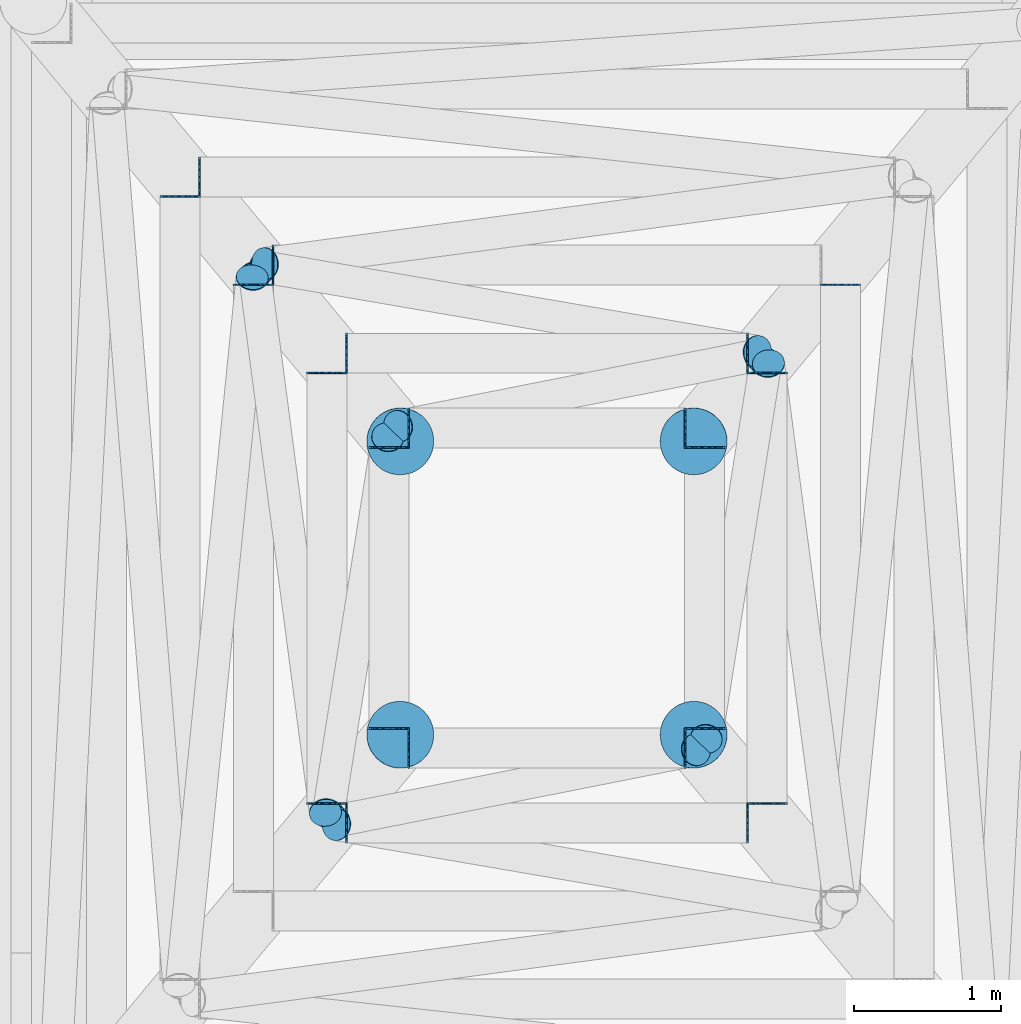
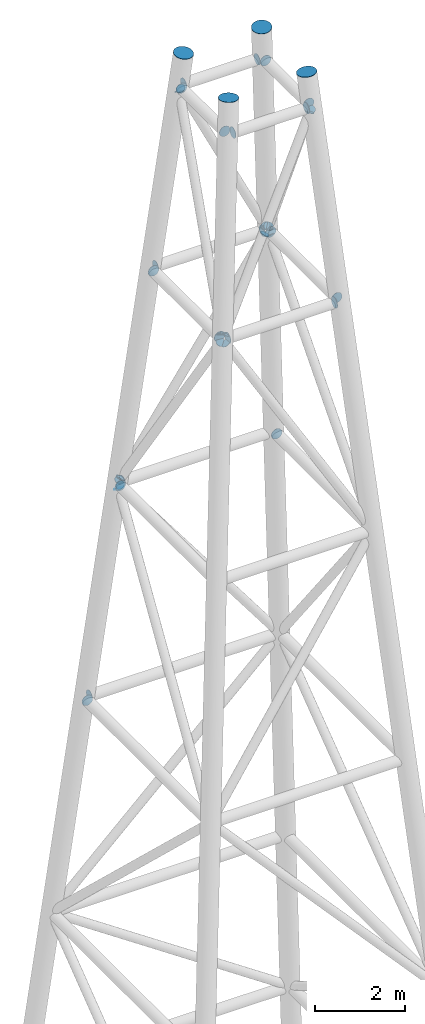
# One storey, part 3 of 4: 41 discrete accessories.
"""IFC4 building model written with IfcOpenShell, lengths in metres."""

import ifcopenshell
import ifcopenshell.guid

model = None  # the IFC model being written
_history = None  # IfcOwnerHistory: only IFC2X3 demands one
_inside = {}  # id of a spatial element -> (the spatial element, [elements in it])
_under = {}  # id of a project, library or spatial element -> (it, [spatial elements below it])
_declared = {}  # id of a project -> (the project, [libraries it declares])
_typed = {}  # id of a type object -> (the type object, [elements of that type])
_made_of = {}  # id of a material, layer set ... -> (it, [elements and type objects made of it])


def new_model(schema):
    """Start an empty IFC model of exactly this schema.

    Asked for "IFC4X3", IfcOpenShell would pick the latest addendum, in which some entities
    have other attributes; the version numbers below select the first issue.
    IFC2X3 requires an IfcOwnerHistory on every rooted entity: one is made here for all.
    """
    global model, _history
    if schema == "IFC4X3":
        model = ifcopenshell.file(schema_version=(4, 3, 0, 0))
    else:
        model = ifcopenshell.file(schema=schema)
    _inside.clear()
    _under.clear()
    _declared.clear()
    _typed.clear()
    _made_of.clear()
    _history = None
    if model.schema == "IFC2X3":
        org = make("IfcOrganization", Name="unknown")
        user = make(
            "IfcPersonAndOrganization",
            ThePerson=make("IfcPerson", FamilyName="unknown"),
            TheOrganization=org,
        )
        app = make(
            "IfcApplication",
            ApplicationDeveloper=org,
            Version="unknown",
            ApplicationFullName="unknown",
            ApplicationIdentifier="unknown",
        )
        _history = make(
            "IfcOwnerHistory",
            OwningUser=user,
            OwningApplication=app,
            ChangeAction="ADDED",
            CreationDate=0,
        )
    return model


def make(cls, **values):
    """One entity of the class cls with the attributes given. An attribute that is None is left unset."""
    return model.create_entity(
        cls, **{name: value for name, value in values.items() if value is not None}
    )


def rooted(cls, **values):
    """An entity with a GlobalId (a new one), such as an element, a storey or a relation."""
    return make(cls, GlobalId=ifcopenshell.guid.new(), OwnerHistory=_history, **values)


def si_unit(unit_type, name, prefix=None):
    """IfcSIUnit, for example si_unit("LENGTHUNIT", "METRE", prefix="MILLI")."""
    return make("IfcSIUnit", UnitType=unit_type, Prefix=prefix, Name=name)


def assignment(units):
    """IfcUnitAssignment: the units of a project."""
    return None if units is None else make("IfcUnitAssignment", Units=units)


def point(xyz):
    """IfcCartesianPoint."""
    return None if xyz is None else make("IfcCartesianPoint", Coordinates=xyz)


def direction(xyz):
    """IfcDirection."""
    return None if xyz is None else make("IfcDirection", DirectionRatios=xyz)


def frame(location, z_axis=None, x_axis=None):
    """IfcAxis2Placement3D, a coordinate frame: its origin and axes. An axis left out is left unset."""
    return make(
        "IfcAxis2Placement3D",
        Location=point(location),
        Axis=direction(z_axis),
        RefDirection=direction(x_axis),
    )


def frame_2d(location, x_axis=None):
    """IfcAxis2Placement2D, a coordinate frame in the plane: its origin and x axis."""
    return make(
        "IfcAxis2Placement2D", Location=point(location), RefDirection=direction(x_axis)
    )


def origin():
    """The frame at (0, 0, 0) with its axes left unset."""
    return frame((0.0, 0.0, 0.0))


def origin_2d():
    """The frame at (0, 0) in the plane with its x axis left unset."""
    return frame_2d((0.0, 0.0))


def place(relative_to, where):
    """IfcLocalPlacement: puts the frame where relative to a parent placement (None: the world)."""
    return make(
        "IfcLocalPlacement", PlacementRelTo=relative_to, RelativePlacement=where
    )


def context(
    kind, dimensions, precision=None, world=None, true_north=None, identifier=None
):
    """IfcGeometricRepresentationContext, for example the 3D "Model" context."""
    return make(
        "IfcGeometricRepresentationContext",
        ContextIdentifier=identifier,
        ContextType=kind,
        CoordinateSpaceDimension=dimensions,
        Precision=precision,
        WorldCoordinateSystem=world,
        TrueNorth=true_north,
    )


def subcontext(parent, identifier, kind, view, scale=None):
    """IfcGeometricRepresentationSubContext, for example "Body" below "Model"."""
    return make(
        "IfcGeometricRepresentationSubContext",
        ContextIdentifier=identifier,
        ContextType=kind,
        ParentContext=parent,
        TargetScale=scale,
        TargetView=view,
    )


def project(units=None, contexts=None):
    """IfcProject with its units and contexts."""
    return rooted(
        "IfcProject",
        Name="project",
        RepresentationContexts=contexts,
        UnitsInContext=assignment(units),
    )


def spatial(cls, under=None, at=None, **own):
    """A site, building, storey or space (cls), placed at a placement, below another one or the project."""
    s = rooted(cls, ObjectPlacement=at, **own)
    if under is not None:
        _under.setdefault(under.id(), (under, []))[1].append(s)
    return s


def profile(cls, at=None, kind="AREA", **sizes):
    """A parametric profile (cls). Its sizes go by their IFC names, for example OverallWidth=200.0."""
    return make(cls, ProfileType=kind, Position=at, **sizes)


def circle(**sizes):
    """IfcCircleProfileDef."""
    return profile("IfcCircleProfileDef", **sizes)


def extrude(swept, where, along, depth):
    """IfcExtrudedAreaSolid: the profile swept, set in the frame where, extruded along a direction by depth."""
    return make(
        "IfcExtrudedAreaSolid",
        SweptArea=swept,
        Position=where,
        ExtrudedDirection=direction(along),
        Depth=depth,
    )


def shape(context_of_items, identifier, shape_type, items):
    """IfcShapeRepresentation: the items that make up one representation, for example the "Body"."""
    return make(
        "IfcShapeRepresentation",
        ContextOfItems=context_of_items,
        RepresentationIdentifier=identifier,
        RepresentationType=shape_type,
        Items=items,
    )


def material(Name=None, Category=None):
    """IfcMaterial."""
    return make("IfcMaterial", Name=Name, Category=Category)


def material_profile(
    of_material, cross_section, Name=None, Category=None, Priority=None
):
    """IfcMaterialProfile: a cross section and its material."""
    return make(
        "IfcMaterialProfile",
        Name=Name,
        Material=of_material,
        Profile=cross_section,
        Priority=Priority,
        Category=Category,
    )


def profile_set(profiles, Name=None, composite=None):
    """IfcMaterialProfileSet."""
    return make(
        "IfcMaterialProfileSet",
        Name=Name,
        MaterialProfiles=profiles,
        CompositeProfile=composite,
    )


def made_of(thing, what):
    """Note that an element or type object is made of a material, layer set ...; save() writes the relation."""
    if what is not None:
        _made_of.setdefault(what.id(), (what, []))[1].append(thing)
    return thing


def type_object(cls, material=None, **own):
    """A type object (cls), such as IfcWallType, which elements share."""
    return made_of(rooted(cls, **own), material)


def element(
    cls,
    number,
    at=None,
    inside=None,
    cuts=None,
    type_object=None,
    material=None,
    context=None,
    identifier="Body",
    shape_type=None,
    held_by="IfcProductDefinitionShape",
    body=None,
    shapes=None,
    **own,
):
    """One element of the class cls, such as IfcWall. Its Tag is "e" and its number.

    at: its placement. inside: the storey or other place that contains it. cuts: it is an
    opening in that element (IfcRelVoidsElement). A single representation is given by context,
    identifier, shape_type and body (its items); several are given by shapes. held_by: the class
    of the entity that holds the representations. save() writes the other relations.
    """
    e = rooted(cls, Tag="e%d" % number, ObjectPlacement=at, **own)
    if body is not None:
        shapes = [shape(context, identifier, shape_type, body)]
    if shapes is not None:
        e.Representation = make(held_by, Representations=shapes)
    if inside is not None:
        _inside.setdefault(inside.id(), (inside, []))[1].append(e)
    if cuts is not None:
        rooted(
            "IfcRelVoidsElement", RelatingBuildingElement=cuts, RelatedOpeningElement=e
        )
    if type_object is not None:
        _typed.setdefault(type_object.id(), (type_object, []))[1].append(e)
    return made_of(e, material)


def aggregate(whole, parts):
    """IfcRelAggregates: a whole, such as a stair, and the parts it consists of."""
    return rooted("IfcRelAggregates", RelatingObject=whole, RelatedObjects=parts)


def save(model, path):
    """Write the relations noted so far, then the file.

    IfcRelAggregates (storeys below a building ...), IfcRelContainedInSpatialStructure (elements
    in a storey), IfcRelDefinesByType, IfcRelAssociatesMaterial and IfcRelDeclares: one each for
    every whole, place, type object, material and project.
    """
    for whole, parts in _under.values():
        aggregate(whole, parts)
    for where, things in _inside.values():
        rooted(
            "IfcRelContainedInSpatialStructure",
            RelatedElements=things,
            RelatingStructure=where,
        )
    for kind, things in _typed.values():
        rooted("IfcRelDefinesByType", RelatedObjects=things, RelatingType=kind)
    for what, things in _made_of.values():
        rooted("IfcRelAssociatesMaterial", RelatedObjects=things, RelatingMaterial=what)
    for by, libraries in _declared.values():
        rooted("IfcRelDeclares", RelatingContext=by, RelatedDefinitions=libraries)
    model.write(path)


model = new_model("IFC4")

# Units and contexts
model_context = context("Model", 3, precision=1e-05, world=origin(), true_north=direction((0.0, 1.0)))
body_context = subcontext(model_context, "Body", "Model", "MODEL_VIEW")
ifc_project = project(units=[si_unit("LENGTHUNIT", "METRE"), si_unit("AREAUNIT", "SQUARE_METRE"), si_unit("VOLUMEUNIT", "CUBIC_METRE"), si_unit("PLANEANGLEUNIT", "RADIAN"), si_unit("MASSUNIT", "GRAM", prefix="KILO")], contexts=[model_context])

# Site, building, storey
site_placement = place(None, origin())
site = spatial("IfcSite", under=ifc_project, at=site_placement, CompositionType="ELEMENT")
building_placement = place(site_placement, origin())
building = spatial("IfcBuilding", under=site, at=building_placement, Name="Wharfspan Tower", CompositionType="ELEMENT")
storey_placement = place(building_placement, frame((0.0, 0.0, 291.360107)))
storey = spatial("IfcBuildingStorey", under=building, at=storey_placement, Name="ROOF", CompositionType="ELEMENT", Elevation=291.360107)

# Discrete accessories
ifc_material = material(Name="Steel S460NH", Category="steel")
ifc_material_profile_1 = material_profile(ifc_material, circle(Radius=0.109619, at=origin_2d()))
ifc_profile_set_1 = profile_set([ifc_material_profile_1], Name="Steel S460NH")
discrete_accessory_type_1 = type_object("IfcDiscreteAccessoryType", Name="End plate CHS 219x8", PredefinedType="BRACKET", material=ifc_profile_set_1)
for number, where, z_axis, x_axis, name in (
    (1, (66.582764, 22.210938, 18.487061), (-0.586588, -0.073324, 0.806559), (0.124036, -0.992281, 0.0), "End plate CHS 219x8"),
    (2, (66.491211, 22.111572, 18.491455), (0.073945, 0.640853, 0.764094), (-0.993411, 0.114625, 0.0), "End plate CHS 219x8"),
):
    element("IfcDiscreteAccessory", number, at=place(storey_placement, frame(where, z_axis=z_axis, x_axis=x_axis)), inside=storey, type_object=discrete_accessory_type_1, Name=name, PredefinedType="BRACKET", context=body_context, shape_type="SweptSolid", body=[
        extrude(circle(Radius=0.109619, at=origin_2d()), origin(), (0.0, 0.0, 1.0), 0.01001),
    ])
discrete_accessory_1_placement = place(storey_placement, frame((67.06958, 18.388184, 24.478271), z_axis=(-0.502571, 0.071796, 0.86155), x_axis=(-0.141422, -0.989952, 0.0)))
element("IfcDiscreteAccessory", 3, at=discrete_accessory_1_placement, inside=storey, type_object=discrete_accessory_type_1, Name="End plate CHS 219x8", PredefinedType="BRACKET", context=body_context, shape_type="SweptSolid", body=[
    extrude(circle(Radius=0.109619, at=origin_2d()), origin(), (0.0, 0.0, 1.0), 0.010254),
])
for number, where, z_axis, x_axis, name in (
    (4, (70.009766, 21.526123, 24.480957), (-0.073877, 0.541767, 0.837276), (-0.990833, -0.135113, 0.0), "End plate CHS 219x8"),
    (5, (66.564453, 22.188965, 18.708252), (0.512043, -0.097532, 0.853405), (0.187112, 0.982338, 0.0), "End plate CHS 219x8"),
):
    element("IfcDiscreteAccessory", number, at=place(storey_placement, frame(where, z_axis=z_axis, x_axis=x_axis)), inside=storey, type_object=discrete_accessory_type_1, Name=name, PredefinedType="BRACKET", context=body_context, shape_type="SweptSolid", body=[
        extrude(circle(Radius=0.109619, at=origin_2d()), origin(), (0.0, 0.0, 1.0), 0.01001),
    ])
discrete_accessory_2_placement = place(storey_placement, frame((69.93042, 21.611816, 24.478271), z_axis=(0.502571, -0.071796, 0.86155), x_axis=(0.141422, 0.989952, 0.0)))
element("IfcDiscreteAccessory", 6, at=discrete_accessory_2_placement, inside=storey, type_object=discrete_accessory_type_1, Name="End plate CHS 219x8", PredefinedType="BRACKET", context=body_context, shape_type="SweptSolid", body=[
    extrude(circle(Radius=0.109619, at=origin_2d()), origin(), (0.0, 0.0, 1.0), 0.010254),
])
for number, where, z_axis, x_axis, name in (
    (7, (66.509033, 22.131348, 18.705811), (0.073302, -0.513112, 0.855186), (0.98995, 0.141422, 0.0), "End plate CHS 219x8"),
    (8, (66.990234, 18.473877, 24.480957), (0.073877, -0.541767, 0.837276), (0.990833, 0.135113, 0.0), "End plate CHS 219x8"),
    (9, (67.057617, 18.411377, 24.711914), (0.464521, 0.097794, 0.880146), (-0.206008, 0.978546, -1e-06), "End plate CHS 219x8"),
    (10, (69.512695, 18.897705, 29.574463), (0.464521, 0.097794, 0.880146), (-0.206008, 0.978546, -1e-06), "End plate CHS 219x8"),
    (11, (69.990479, 21.540283, 24.710938), (-0.073499, -0.465496, 0.881993), (0.987765, -0.155964, -1e-06), "End plate CHS 219x8"),
    (12, (69.585205, 18.974365, 29.575439), (-0.073499, -0.465496, 0.881993), (0.987765, -0.155964, -1e-06), "End plate CHS 219x8"),
    (13, (69.942383, 21.588623, 24.711914), (-0.464521, -0.097794, 0.880146), (0.206008, -0.978546, -1e-06), "End plate CHS 219x8"),
    (14, (67.487305, 21.102295, 29.574463), (-0.464521, -0.097794, 0.880146), (0.206008, -0.978546, -1e-06), "End plate CHS 219x8"),
    (15, (67.009521, 18.459717, 24.710938), (0.073499, 0.465496, 0.881993), (-0.987765, 0.155964, -1e-06), "End plate CHS 219x8"),
    (16, (67.414795, 21.025635, 29.575439), (0.073499, 0.465496, 0.881993), (-0.987765, 0.155964, -1e-06), "End plate CHS 219x8"),
):
    element("IfcDiscreteAccessory", number, at=place(storey_placement, frame(where, z_axis=z_axis, x_axis=x_axis)), inside=storey, type_object=discrete_accessory_type_1, Name=name, PredefinedType="BRACKET", context=body_context, shape_type="SweptSolid", body=[
        extrude(circle(Radius=0.109619, at=origin_2d()), origin(), (0.0, 0.0, 1.0), 0.01001),
    ])
ifc_material_profile_2 = material_profile(ifc_material, circle(Radius=0.136475, at=origin_2d()))
ifc_profile_set_2 = profile_set([ifc_material_profile_2], Name="Steel S460NH")
discrete_accessory_type_2 = type_object("IfcDiscreteAccessoryType", Name="End plate CHS 273x10", PredefinedType="BRACKET", material=ifc_profile_set_2)
discrete_accessory_3_placement = place(storey_placement, frame((66.138428, 22.800049, 12.597656), z_axis=(-1.0, 0.0, 0.0), x_axis=(0.0, -1.0, 0.0)))
element("IfcDiscreteAccessory", 17, at=discrete_accessory_3_placement, inside=storey, type_object=discrete_accessory_type_2, Name="End plate CHS 273x10", PredefinedType="BRACKET", context=body_context, shape_type="SweptSolid", body=[
    extrude(circle(Radius=0.136475, at=origin_2d()), origin(), (0.0, 0.0, 1.0), 0.01001),
])
discrete_accessory_4_placement = place(storey_placement, frame((66.0, 22.671387, 12.597656), z_axis=(0.0, -1.0, 0.0), x_axis=(1.0, 0.0, 0.0)))
element("IfcDiscreteAccessory", 18, at=discrete_accessory_4_placement, inside=storey, type_object=discrete_accessory_type_2, Name="End plate CHS 273x10", PredefinedType="BRACKET", context=body_context, shape_type="SweptSolid", body=[
    extrude(circle(Radius=0.136475, at=origin_2d()), origin(), (0.0, 0.0, 1.0), 0.009766),
])
for number, where, z_axis, x_axis, name in (
    (19, (70.5, 22.061523, 18.597656), (0.0, 1.0, 0.0), (-1.0, 0.0, 0.0), "End plate CHS 273x10"),
    (20, (66.638428, 22.199951, 18.597656), (-1.0, 0.0, 0.0), (0.0, -1.0, 0.0), "End plate CHS 273x10"),
    (21, (66.5, 22.071533, 18.597656), (0.0, -1.0, 0.0), (1.0, 0.0, 0.0), "End plate CHS 273x10"),
    (22, (67.128418, 18.399902, 24.597656), (1.0, 0.0, 0.0), (0.0, 1.0, 0.0), "End plate CHS 273x10"),
    (23, (69.861572, 18.399902, 24.597656), (1.0, 0.0, 0.0), (0.0, 1.0, 0.0), "End plate CHS 273x10"),
    (24, (70.0, 18.528564, 24.597656), (0.0, 1.0, 0.0), (-1.0, 0.0, 0.0), "End plate CHS 273x10"),
    (25, (70.0, 21.461426, 24.597656), (0.0, 1.0, 0.0), (-1.0, 0.0, 0.0), "End plate CHS 273x10"),
    (26, (69.871582, 21.600098, 24.597656), (-1.0, 0.0, 0.0), (0.0, -1.0, 0.0), "End plate CHS 273x10"),
    (27, (67.138428, 21.600098, 24.597656), (-1.0, 0.0, 0.0), (0.0, -1.0, 0.0), "End plate CHS 273x10"),
    (28, (67.0, 21.471436, 24.597656), (0.0, -1.0, 0.0), (1.0, 0.0, 0.0), "End plate CHS 273x10"),
    (29, (67.0, 18.538574, 24.597656), (0.0, -1.0, 0.0), (1.0, 0.0, 0.0), "End plate CHS 273x10"),
    (30, (67.553467, 18.909912, 29.69751), (1.0, 0.0, 0.0), (0.0, 1.0, 0.0), "End plate CHS 273x10"),
    (31, (69.436523, 18.909912, 29.69751), (1.0, 0.0, 0.0), (0.0, 1.0, 0.0), "End plate CHS 273x10"),
    (32, (69.574951, 19.038574, 29.69751), (0.0, 1.0, 0.0), (-1.0, 0.0, 0.0), "End plate CHS 273x10"),
    (33, (69.574951, 20.951416, 29.69751), (0.0, 1.0, 0.0), (-1.0, 0.0, 0.0), "End plate CHS 273x10"),
    (34, (69.446533, 21.090088, 29.69751), (-1.0, 0.0, 0.0), (0.0, -1.0, 0.0), "End plate CHS 273x10"),
    (35, (67.563477, 21.090088, 29.69751), (-1.0, 0.0, 0.0), (0.0, -1.0, 0.0), "End plate CHS 273x10"),
    (36, (67.425049, 20.961426, 29.69751), (0.0, -1.0, 0.0), (1.0, 0.0, 0.0), "End plate CHS 273x10"),
    (37, (67.425049, 19.048584, 29.69751), (0.0, -1.0, 0.0), (1.0, 0.0, 0.0), "End plate CHS 273x10"),
):
    element("IfcDiscreteAccessory", number, at=place(storey_placement, frame(where, z_axis=z_axis, x_axis=x_axis)), inside=storey, type_object=discrete_accessory_type_2, Name=name, PredefinedType="BRACKET", context=body_context, shape_type="SweptSolid", body=[
        extrude(circle(Radius=0.136475, at=origin_2d()), origin(), (0.0, 0.0, 1.0), 0.01001),
    ])
ifc_material_profile_3 = material_profile(ifc_material, circle(Radius=0.228516, at=origin_2d()))
ifc_profile_set_3 = profile_set([ifc_material_profile_3], Name="Steel S460NH")
discrete_accessory_type_3 = type_object("IfcDiscreteAccessoryType", Name="End plate CHS 457x16", PredefinedType="BRACKET", material=ifc_profile_set_3)
for number, where, z_axis, x_axis, name in (
    (38, (67.5, 19.0, 30.597656), (0.074421, 0.099228, 0.992278), (-0.8, 0.6, 0.0), "End plate CHS 457x16"),
    (39, (69.5, 19.0, 30.597656), (-0.074421, 0.099228, 0.992278), (-0.8, -0.6, 0.0), "End plate CHS 457x16"),
    (40, (69.5, 21.0, 30.597656), (-0.074421, -0.099228, 0.992278), (0.8, -0.6, 0.0), "End plate CHS 457x16"),
    (41, (67.5, 21.0, 30.597656), (0.074421, -0.099228, 0.992278), (0.8, 0.6, 0.0), "End plate CHS 457x16"),
):
    element("IfcDiscreteAccessory", number, at=place(storey_placement, frame(where, z_axis=z_axis, x_axis=x_axis)), inside=storey, type_object=discrete_accessory_type_3, Name=name, PredefinedType="BRACKET", context=body_context, shape_type="SweptSolid", body=[
        extrude(circle(Radius=0.228516, at=origin_2d()), origin(), (0.0, 0.0, 1.0), 0.009766),
    ])

save(model, "model.ifc")
